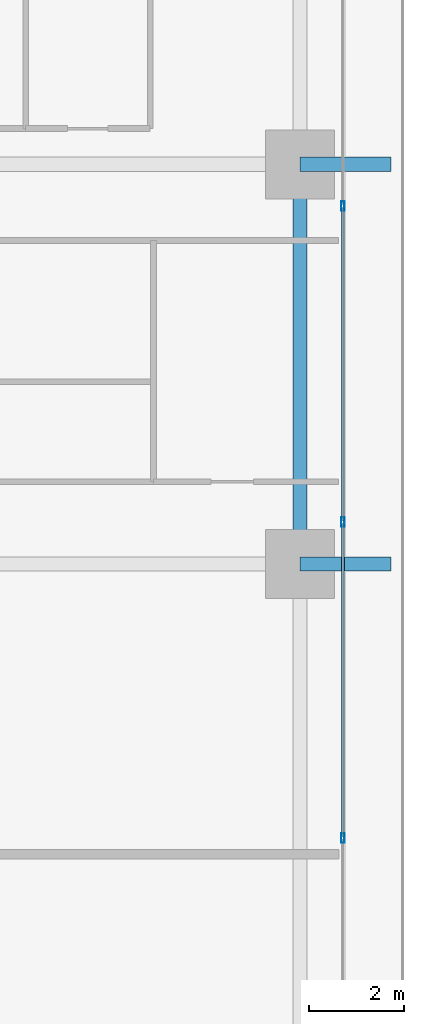
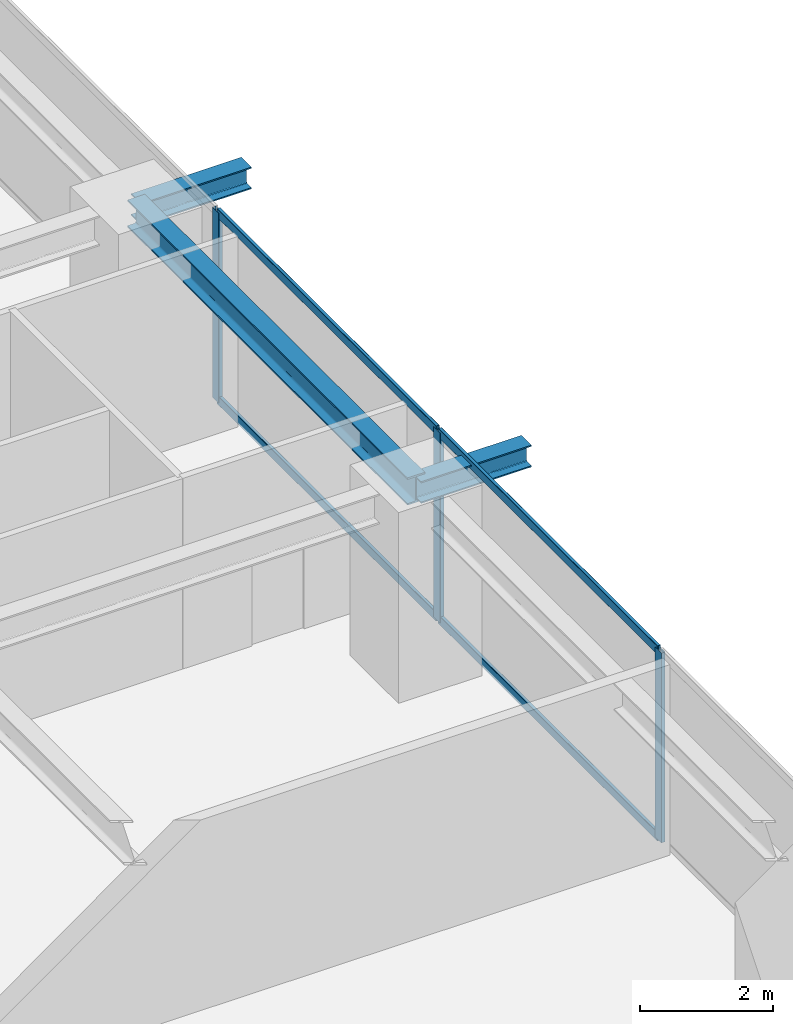
# One storey, part 14 of 36: 7 members, 3 beams, 1 element without a shape of its own.
"""IFC4 building model written with IfcOpenShell, lengths in metres."""

from ifc_helpers import new_model, si_unit, direction, frame, origin, origin_2d, place, context, subcontext, project, spatial, hollow_rectangle, i_section, extrude, source, transform, mapped, material, layer, layer_set, material_profile, profile_set, type_object, element, aggregate, save


model = new_model("IFC4")

# Units and contexts
model_context = context("Model", 3, precision=1e-05, world=origin(), true_north=direction((0.0, 1.0)))
body_context = subcontext(model_context, "Body", "Model", "MODEL_VIEW")
ifc_project = project(units=[si_unit("LENGTHUNIT", "METRE"), si_unit("AREAUNIT", "SQUARE_METRE"), si_unit("VOLUMEUNIT", "CUBIC_METRE"), si_unit("PLANEANGLEUNIT", "RADIAN"), si_unit("MASSUNIT", "GRAM", prefix="KILO")], contexts=[model_context])

# Site, building, storey
site_placement = place(None, origin())
site = spatial("IfcSite", under=ifc_project, at=site_placement, CompositionType="ELEMENT")
building_placement = place(site_placement, origin())
building = spatial("IfcBuilding", under=site, at=building_placement, Name="Serunith Strait Residences", CompositionType="ELEMENT")
storey_placement = place(building_placement, frame((0.0, 0.0, 41.699951171875)))
storey = spatial("IfcBuildingStorey", under=building, at=storey_placement, Name="L09", CompositionType="ELEMENT", Elevation=41.699951171875)

# Beams
ifc_material_1 = material(Name="Steel S355J2", Category="steel")
ifc_material_profile_1 = material_profile(ifc_material_1, i_section(OverallWidth=0.300048828125, OverallDepth=0.5, WebThickness=0.014404296875, FlangeThickness=0.028076171875, FilletRadius=0.027099609375, at=origin_2d()), Name="HEB 500")
ifc_profile_set_1 = profile_set([ifc_material_profile_1], Name="Steel S355J2")
beam_type_1 = type_object("IfcBeamType", Name="BM-HEB500", PredefinedType="BEAM", material=ifc_profile_set_1)
shared_shape_1 = source(origin(), body_context, "Body", "SweptSolid", [
    extrude(i_section(OverallWidth=0.300048828125, OverallDepth=0.5, WebThickness=0.014404296875, FlangeThickness=0.028076171875, FilletRadius=0.027099609375, at=origin_2d()), origin(), (0.0, 0.0, 1.0), 8.39990234375),
])
beam_placement = place(storey_placement, frame((57.89990234375, 21.0, 3.237060546875), z_axis=(0.0, 1.0, 0.0), x_axis=(-1.0, 0.0, 0.0)))
element("IfcBeam", 1, at=beam_placement, inside=storey, type_object=beam_type_1, Name="L09 Perimeter Ring Beam 06", PredefinedType="BEAM", context=body_context, shape_type="MappedRepresentation", body=[
    mapped(shared_shape_1, transform((0.0, 0.0, 0.0), scale=1.0)),
])
ifc_material_profile_2 = material_profile(ifc_material_1, i_section(OverallWidth=0.300048828125, OverallDepth=0.39990234375, WebThickness=0.013427734375, FlangeThickness=0.02392578125, FilletRadius=0.027099609375, at=origin_2d()), Name="HEB 400")
ifc_profile_set_2 = profile_set([ifc_material_profile_2], Name="Steel S355J2")
beam_type_2 = type_object("IfcBeamType", Name="BM-HEB400", PredefinedType="BEAM", material=ifc_profile_set_2)
shared_shape_2 = source(origin(), body_context, "Body", "SweptSolid", [
    extrude(i_section(OverallWidth=0.300048828125, OverallDepth=0.39990234375, WebThickness=0.013427734375, FlangeThickness=0.02392578125, FilletRadius=0.027099609375, at=origin_2d()), origin(), (0.0, 0.0, 1.0), 1.91015625),
])
for number, where, z_axis, x_axis, name in (
    (2, (57.89990234375, 21.0, 3.257080078125), (1.0, 0.0, 0.0), (0.0, 1.0, 0.0), "L10 Cantilevered Balcony Rib TC-E2"),
    (3, (57.89990234375, 29.39990234375, 3.257080078125), (1.0, 0.0, 0.0), (0.0, 1.0, 0.0), "L10 Cantilevered Balcony Rib TC-E3"),
):
    element("IfcBeam", number, at=place(storey_placement, frame(where, z_axis=z_axis, x_axis=x_axis)), inside=storey, type_object=beam_type_2, Name=name, PredefinedType="BEAM", context=body_context, shape_type="MappedRepresentation", body=[
        mapped(shared_shape_2, transform((0.0, 0.0, 0.0), scale=1.0)),
    ])

# Curtain wall, members
ifc_material_2 = material(Name="Pale-Champagne Anodised Aluminium", Category="aluminium")
ifc_layer = layer(ifc_material_2, 0.199951171875, Name="Pale-Champagne Anodised Aluminium")
ifc_layer_set = layer_set([ifc_layer], Name="Pale-Champagne Anodised Aluminium")
curtain_wall_type = type_object("IfcCurtainWallType", Name="CW-SYS1", PredefinedType="NOTDEFINED", material=ifc_layer_set)
curtain_wall_placement = place(storey_placement, origin())
curtain_wall = element("IfcCurtainWall", 4, at=curtain_wall_placement, inside=storey, type_object=curtain_wall_type, Name="L09 E Unitised Fritted Curtain Wall", PredefinedType="NOTDEFINED")
ifc_material_profile_3 = material_profile(ifc_material_2, hollow_rectangle(XDim=0.070068359375, YDim=0.199951171875, WallThickness=0.00390625, InnerFilletRadius=0.006103515625, OuterFilletRadius=0.010009765625, at=origin_2d()), Name="ALU 200x70x4")
ifc_profile_set_3 = profile_set([ifc_material_profile_3], Name="Pale-Champagne Anodised Aluminium")
member_type_1 = type_object("IfcMemberType", Name="CW-SYS1-MULL", PredefinedType="MULLION", material=ifc_profile_set_3)
shared_shape_3 = source(origin(), body_context, "Body", "SweptSolid", [
    extrude(hollow_rectangle(XDim=0.070068359375, YDim=0.199951171875, WallThickness=0.00390625, InnerFilletRadius=0.006103515625, OuterFilletRadius=0.010009765625, at=origin_2d()), origin(), (0.0, 0.0, 1.0), 3.47509765625),
])
member_1_placement = place(storey_placement, frame((58.800048828125, 15.239990234375, 0.0), z_axis=(0.0, 0.0, 1.0), x_axis=(-1.0, 0.0, 0.0)))
member_1 = element("IfcMember", 5, at=member_1_placement, type_object=member_type_1, Name="CW-1 mullion 2", PredefinedType="MULLION", context=body_context, shape_type="MappedRepresentation", body=[
    mapped(shared_shape_3, transform((0.0, 0.0, 0.0), scale=1.0)),
])
member_2_placement = place(storey_placement, frame((58.800048828125, 21.8798828125, 0.0), z_axis=(0.0, 0.0, 1.0), x_axis=(-1.0, 0.0, 0.0)))
member_2 = element("IfcMember", 6, at=member_2_placement, type_object=member_type_1, Name="CW-1 mullion 3", PredefinedType="MULLION", context=body_context, shape_type="MappedRepresentation", body=[
    mapped(shared_shape_3, transform((0.0, 0.0, 0.0), scale=1.0)),
])
member_3_placement = place(storey_placement, frame((58.800048828125, 28.52001953125, 0.0), z_axis=(0.0, 0.0, 1.0), x_axis=(-1.0, 0.0, 0.0)))
member_3 = element("IfcMember", 7, at=member_3_placement, type_object=member_type_1, Name="CW-1 mullion 4", PredefinedType="MULLION", context=body_context, shape_type="MappedRepresentation", body=[
    mapped(shared_shape_3, transform((0.0, 0.0, 0.0), scale=1.0)),
])
ifc_material_profile_4 = material_profile(ifc_material_2, hollow_rectangle(XDim=0.06005859375, YDim=0.159912109375, WallThickness=0.00341796875, InnerFilletRadius=0.00537109375, OuterFilletRadius=0.0087890625, at=origin_2d()), Name="ALU 160x60x3.5")
ifc_profile_set_4 = profile_set([ifc_material_profile_4], Name="Pale-Champagne Anodised Aluminium")
member_type_2 = type_object("IfcMemberType", Name="CW-SYS1-TRAN", PredefinedType="USERDEFINED", material=ifc_profile_set_4)
shared_shape_4 = source(origin(), body_context, "Body", "SweptSolid", [
    extrude(hollow_rectangle(XDim=0.06005859375, YDim=0.159912109375, WallThickness=0.00341796875, InnerFilletRadius=0.00537109375, OuterFilletRadius=0.0087890625, at=origin_2d()), origin(), (0.0, 0.0, 1.0), 6.570068359375),
])
member_4_placement = place(storey_placement, frame((58.800048828125, 15.27490234375, 0.030029296875), z_axis=(0.0, 1.0, 0.0), x_axis=(-1.0, 0.0, 0.0)))
member_4 = element("IfcMember", 8, at=member_4_placement, type_object=member_type_2, Name="CW-1 transom 2.1", ObjectType="TRANSOM", PredefinedType="USERDEFINED", context=body_context, shape_type="MappedRepresentation", body=[
    mapped(shared_shape_4, transform((0.0, 0.0, 0.0), scale=1.0)),
])
member_5_placement = place(storey_placement, frame((58.800048828125, 15.27490234375, 3.445068359375), z_axis=(0.0, 1.0, 0.0), x_axis=(-1.0, 0.0, 0.0)))
member_5 = element("IfcMember", 9, at=member_5_placement, type_object=member_type_2, Name="CW-1 transom 2.2", ObjectType="TRANSOM", PredefinedType="USERDEFINED", context=body_context, shape_type="MappedRepresentation", body=[
    mapped(shared_shape_4, transform((0.0, 0.0, 0.0), scale=1.0)),
])
member_6_placement = place(storey_placement, frame((58.800048828125, 21.9150390625, 0.030029296875), z_axis=(0.0, 1.0, 0.0), x_axis=(-1.0, 0.0, 0.0)))
member_6 = element("IfcMember", 10, at=member_6_placement, type_object=member_type_2, Name="CW-1 transom 3.1", ObjectType="TRANSOM", PredefinedType="USERDEFINED", context=body_context, shape_type="MappedRepresentation", body=[
    mapped(shared_shape_4, transform((0.0, 0.0, 0.0), scale=1.0)),
])
member_7_placement = place(storey_placement, frame((58.800048828125, 21.9150390625, 3.445068359375), z_axis=(0.0, 1.0, 0.0), x_axis=(-1.0, 0.0, 0.0)))
member_7 = element("IfcMember", 11, at=member_7_placement, type_object=member_type_2, Name="CW-1 transom 3.2", ObjectType="TRANSOM", PredefinedType="USERDEFINED", context=body_context, shape_type="MappedRepresentation", body=[
    mapped(shared_shape_4, transform((0.0, 0.0, 0.0), scale=1.0)),
])
aggregate(curtain_wall, [member_1, member_2, member_3, member_4, member_5, member_6, member_7])

save(model, "model.ifc")
